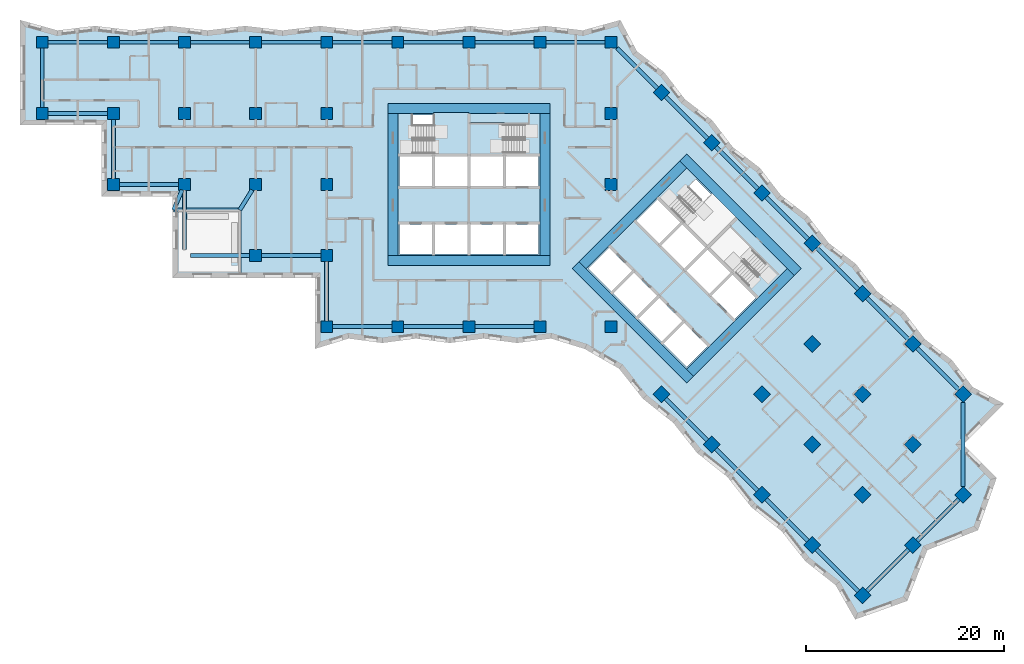
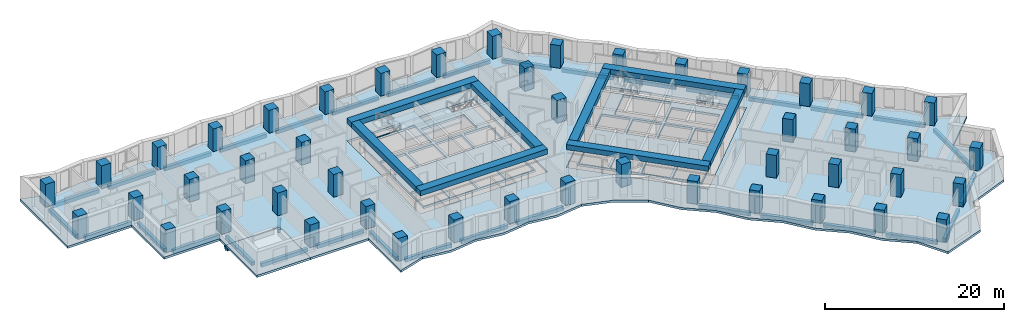
# One storey, part 1 of 14: 47 columns, 44 beams, 6 slabs, 22 openings, 2 elements without a shape of their own.
"""IFC4 building model written with IfcOpenShell, lengths in metres."""

from ifc_helpers import new_model, si_unit, direction, frame, origin, origin_2d, place, context, subcontext, project, spatial, polyline, rectangle, outline, extrude, material, layer, layer_set, material_profile, profile_set, type_object, element, aggregate, save


model = new_model("IFC4")

# Units and contexts
model_context = context("Model", 3, precision=1e-05, world=origin(), true_north=direction((0.0, 1.0)))
body_context = subcontext(model_context, "Body", "Model", "MODEL_VIEW")
ifc_project = project(units=[si_unit("LENGTHUNIT", "METRE"), si_unit("AREAUNIT", "SQUARE_METRE"), si_unit("VOLUMEUNIT", "CUBIC_METRE"), si_unit("PLANEANGLEUNIT", "RADIAN"), si_unit("MASSUNIT", "GRAM", prefix="KILO")], contexts=[model_context])

# Site, building, storey
site_placement = place(None, origin())
site = spatial("IfcSite", under=ifc_project, at=site_placement, CompositionType="ELEMENT")
building_placement = place(site_placement, origin())
building = spatial("IfcBuilding", under=site, at=building_placement, Name="Windrow Commons", CompositionType="ELEMENT")
storey_placement = place(building_placement, frame((0.0, 0.0, 44.0)))
storey = spatial("IfcBuildingStorey", under=building, at=storey_placement, Name="L11", CompositionType="ELEMENT", Elevation=44.0)

# Columns
ifc_material_1 = material(Name="Concrete C60/75", Category="concrete")
ifc_material_profile_1 = material_profile(ifc_material_1, rectangle(XDim=1.2, YDim=1.2, at=origin_2d()))
ifc_profile_set_1 = profile_set([ifc_material_profile_1], Name="Concrete C60/75")
column_type = type_object("IfcColumnType", Name="RC COLUMN 1200x1200 C60/75", PredefinedType="COLUMN", material=ifc_profile_set_1)
for number, where, z_axis, x_axis, name in (
    (1, (21.6, 64.8, 0.0), (0.0, 0.0, 1.0), (1.0, 0.0, 0.0), "C-Z1-04I"),
    (2, (21.6, 72.0, 0.0), (0.0, 0.0, 1.0), (1.0, 0.0, 0.0), "C-Z1-04J"),
    (3, (28.8, 57.6, 0.0), (0.0, 0.0, 1.0), (1.0, 0.0, 0.0), "C-Z1-05H"),
    (4, (28.8, 64.8, 0.0), (0.0, 0.0, 1.0), (1.0, 0.0, 0.0), "C-Z1-05I"),
    (5, (28.8, 72.0, 0.0), (0.0, 0.0, 1.0), (1.0, 0.0, 0.0), "C-Z1-05J"),
    (6, (36.0, 57.6, 0.0), (0.0, 0.0, 1.0), (1.0, 0.0, 0.0), "C-Z1-06H"),
    (7, (36.0, 64.8, 0.0), (0.0, 0.0, 1.0), (1.0, 0.0, 0.0), "C-Z1-06I"),
    (8, (36.0, 72.0, 0.0), (0.0, 0.0, 1.0), (1.0, 0.0, 0.0), "C-Z1-06J"),
    (9, (43.2, 50.4, 0.0), (0.0, 0.0, 1.0), (1.0, 0.0, 0.0), "C-Z1-07G"),
    (10, (43.2, 57.6, 0.0), (0.0, 0.0, 1.0), (1.0, 0.0, 0.0), "C-Z1-07H"),
    (11, (43.2, 64.8, 0.0), (0.0, 0.0, 1.0), (1.0, 0.0, 0.0), "C-Z1-07I"),
    (12, (43.2, 72.0, 0.0), (0.0, 0.0, 1.0), (1.0, 0.0, 0.0), "C-Z1-07J"),
    (13, (50.4, 43.2, 0.0), (0.0, 0.0, 1.0), (1.0, 0.0, 0.0), "C-Z1-08F"),
    (14, (50.4, 50.4, 0.0), (0.0, 0.0, 1.0), (1.0, 0.0, 0.0), "C-Z1-08G"),
    (15, (50.4, 57.6, 0.0), (0.0, 0.0, 1.0), (1.0, 0.0, 0.0), "C-Z1-08H"),
    (16, (50.4, 64.8, 0.0), (0.0, 0.0, 1.0), (1.0, 0.0, 0.0), "C-Z1-08I"),
    (17, (50.4, 72.0, 0.0), (0.0, 0.0, 1.0), (1.0, 0.0, 0.0), "C-Z1-08J"),
    (18, (57.6, 43.2, 0.0), (0.0, 0.0, 1.0), (1.0, 0.0, 0.0), "C-Z1-09F"),
    (19, (57.6, 72.0, 0.0), (0.0, 0.0, 1.0), (1.0, 0.0, 0.0), "C-Z1-09J"),
    (20, (64.8, 43.2, 0.0), (0.0, 0.0, 1.0), (1.0, 0.0, 0.0), "C-Z1-10F"),
    (21, (64.8, 72.0, 0.0), (0.0, 0.0, 1.0), (1.0, 0.0, 0.0), "C-Z1-10J"),
    (22, (72.0, 43.2, 0.0), (0.0, 0.0, 1.0), (1.0, 0.0, 0.0), "C-Z1-11F"),
    (23, (72.0, 72.0, 0.0), (0.0, 0.0, 1.0), (1.0, 0.0, 0.0), "C-Z1-11J"),
    (24, (79.2, 43.2, 0.0), (0.0, 0.0, 1.0), (1.0, 0.0, 0.0), "C-Z1-12F"),
    (25, (79.2, 57.6, 0.0), (0.0, 0.0, 1.0), (1.0, 0.0, 0.0), "C-Z1-12H"),
    (26, (79.2, 64.8, 0.0), (0.0, 0.0, 1.0), (1.0, 0.0, 0.0), "C-Z1-12I"),
    (27, (79.2, 72.0, 0.0), (0.0, 0.0, 1.0), (1.0, 0.0, 0.0), "C-Z1-12J"),
    (28, (84.2912, 66.9088, 0.0), (0.0, 0.0, 1.0), (0.7071067812, -0.7071067812, 0.0), "C-Z1-P2Q"),
    (29, (89.3823, 61.8177, 0.0), (0.0, 0.0, 1.0), (0.7071067812, -0.7071067812, 0.0), "C-Z1-P3Q"),
    (30, (94.4735, 56.7265, 0.0), (0.0, 0.0, 1.0), (0.7071067812, -0.7071067812, 0.0), "C-Z1-P4Q"),
    (31, (99.5647, 51.6353, 0.0), (0.0, 0.0, 1.0), (0.7071067812, -0.7071067812, 0.0), "C-Z1-P5Q"),
    (32, (84.2912, 36.3618, 0.0), (0.0, 0.0, 1.0), (0.7071067812, -0.7071067812, 0.0), "C-Z1-P5T"),
    (33, (104.6558, 46.5442, 0.0), (0.0, 0.0, 1.0), (0.7071067812, -0.7071067812, 0.0), "C-Z1-P6Q"),
    (34, (99.5647, 41.453, 0.0), (0.0, 0.0, 1.0), (0.7071067812, -0.7071067812, 0.0), "C-Z1-P6R"),
    (35, (94.4735, 36.3618, 0.0), (0.0, 0.0, 1.0), (0.7071067812, -0.7071067812, 0.0), "C-Z1-P6S"),
    (36, (89.3823, 31.2706, 0.0), (0.0, 0.0, 1.0), (0.7071067812, -0.7071067812, 0.0), "C-Z1-P6T"),
    (37, (109.747, 41.453, 0.0), (0.0, 0.0, 1.0), (0.7071067812, -0.7071067812, 0.0), "C-Z1-P7Q"),
    (38, (104.6558, 36.3618, 0.0), (0.0, 0.0, 1.0), (0.7071067812, -0.7071067812, 0.0), "C-Z1-P7R"),
    (39, (99.5647, 31.2706, 0.0), (0.0, 0.0, 1.0), (0.7071067812, -0.7071067812, 0.0), "C-Z1-P7S"),
    (40, (94.4735, 26.1795, 0.0), (0.0, 0.0, 1.0), (0.7071067812, -0.7071067812, 0.0), "C-Z1-P7T"),
    (41, (114.8382, 36.3618, 0.0), (0.0, 0.0, 1.0), (0.7071067812, -0.7071067812, 0.0), "C-Z1-P8Q"),
    (42, (109.747, 31.2706, 0.0), (0.0, 0.0, 1.0), (0.7071067812, -0.7071067812, 0.0), "C-Z1-P8R"),
    (43, (104.6558, 26.1795, 0.0), (0.0, 0.0, 1.0), (0.7071067812, -0.7071067812, 0.0), "C-Z1-P8S"),
    (44, (99.5647, 21.0883, 0.0), (0.0, 0.0, 1.0), (0.7071067812, -0.7071067812, 0.0), "C-Z1-P8T"),
    (45, (114.8382, 26.1795, 0.0), (0.0, 0.0, 1.0), (0.7071067812, -0.7071067812, 0.0), "C-Z1-P9R"),
    (46, (109.747, 21.0883, 0.0), (0.0, 0.0, 1.0), (0.7071067812, -0.7071067812, 0.0), "C-Z1-P9S"),
    (47, (104.6558, 15.9971, 0.0), (0.0, 0.0, 1.0), (0.7071067812, -0.7071067812, 0.0), "C-Z1-P9T"),
):
    element("IfcColumn", number, at=place(storey_placement, frame(where, z_axis=z_axis, x_axis=x_axis)), inside=storey, type_object=column_type, Name=name, PredefinedType="COLUMN", context=body_context, shape_type="SweptSolid", body=[
        extrude(rectangle(XDim=1.2, YDim=1.2, at=origin_2d()), origin(), (0.0, 0.0, 1.0), 3.1),
    ])

# Beams
ifc_material_2 = material(Name="Concrete C60/75", Category="concrete")
ifc_material_profile_2 = material_profile(ifc_material_2, rectangle(XDim=1.0, YDim=0.7, at=origin_2d()))
ifc_profile_set_2 = profile_set([ifc_material_profile_2], Name="Concrete C60/75")
beam_type_1 = type_object("IfcBeamType", Name="RC COUPLING BEAM 1000x700 C60/75", PredefinedType="LINTEL", material=ifc_profile_set_2)
for number, where, z_axis, x_axis, name in (
    (48, (56.6, 49.9, 2.75), (1.0, 0.0, 0.0), (0.0, 1.0, 0.0), "Core A coupling beam outer-S"),
    (49, (56.6, 65.3, 2.75), (1.0, 0.0, 0.0), (0.0, 1.0, 0.0), "Core A coupling beam outer-N"),
):
    element("IfcBeam", number, at=place(storey_placement, frame(where, z_axis=z_axis, x_axis=x_axis)), inside=storey, type_object=beam_type_1, Name=name, PredefinedType="LINTEL", context=body_context, shape_type="SweptSolid", body=[
        extrude(rectangle(XDim=1.0, YDim=0.7, at=origin_2d()), origin(), (0.0, 0.0, 1.0), 16.4),
    ])
for number, where, z_axis, x_axis, name in (
    (50, (57.1, 50.4, 2.75), (0.0, 1.0, 0.0), (-1.0, 0.0, 0.0), "Core A coupling beam outer-W"),
    (51, (72.5, 50.4, 2.75), (0.0, 1.0, 0.0), (-1.0, 0.0, 0.0), "Core A coupling beam outer-E"),
):
    element("IfcBeam", number, at=place(storey_placement, frame(where, z_axis=z_axis, x_axis=x_axis)), inside=storey, type_object=beam_type_1, Name=name, PredefinedType="LINTEL", context=body_context, shape_type="SweptSolid", body=[
        extrude(rectangle(XDim=1.0, YDim=0.7, at=origin_2d()), origin(), (0.0, 0.0, 1.0), 14.4),
    ])
for number, where, z_axis, x_axis, name in (
    (52, (75.5938, 49.4433, 2.75), (0.7071037324, -0.70710983, 0.0), (0.70710983, 0.7071037324, 0.0), "Core B coupling beam outer-S"),
    (53, (86.4832, 60.3327, 2.75), (0.70710983, -0.7071037324, 0.0), (0.7071037324, 0.70710983, 0.0), "Core B coupling beam outer-N"),
):
    element("IfcBeam", number, at=place(storey_placement, frame(where, z_axis=z_axis, x_axis=x_axis)), inside=storey, type_object=beam_type_1, Name=name, PredefinedType="LINTEL", context=body_context, shape_type="SweptSolid", body=[
        extrude(rectangle(XDim=1.0, YDim=0.7, at=origin_2d()), origin(), (0.0, 0.0, 1.0), 16.4),
    ])
beam_1_placement = place(storey_placement, frame((76.3009, 49.4433, 2.75), z_axis=(0.7071067812, 0.7071067812, 0.0), x_axis=(-0.7071067812, 0.7071067812, 0.0)))
element("IfcBeam", 54, at=beam_1_placement, inside=storey, type_object=beam_type_1, Name="Core B coupling beam outer-W", PredefinedType="LINTEL", context=body_context, shape_type="SweptSolid", body=[
    extrude(rectangle(XDim=1.0, YDim=0.7, at=origin_2d()), origin(), (0.0, 0.0, 1.0), 14.3999),
])
beam_2_placement = place(storey_placement, frame((87.1903, 38.5538, 2.75), z_axis=(0.707103309, 0.7071102534, 0.0), x_axis=(-0.7071102534, 0.707103309, 0.0)))
element("IfcBeam", 55, at=beam_2_placement, inside=storey, type_object=beam_type_1, Name="Core B coupling beam outer-E", PredefinedType="LINTEL", context=body_context, shape_type="SweptSolid", body=[
    extrude(rectangle(XDim=1.0, YDim=0.7, at=origin_2d()), origin(), (0.0, 0.0, 1.0), 14.4),
])
ifc_material_3 = material(Name="Concrete C60/75", Category="concrete")
ifc_material_profile_3 = material_profile(ifc_material_3, rectangle(XDim=0.4, YDim=0.5, at=origin_2d()))
ifc_profile_set_3 = profile_set([ifc_material_profile_3], Name="Concrete C60/75")
beam_type_2 = type_object("IfcBeamType", Name="RC EDGE BEAM 400x500 C60/75", PredefinedType="SPANDREL", material=ifc_profile_set_3)
beam_3_placement = place(storey_placement, frame((34.9, 55.018, -0.55), z_axis=(1.0, 0.0, 0.0), x_axis=(0.0, 1.0, 0.0)))
element("IfcBeam", 56, at=beam_3_placement, inside=storey, type_object=beam_type_2, Name="Terrace base beam TR-L11-1", PredefinedType="SPANDREL", context=body_context, shape_type="SweptSolid", body=[
    extrude(rectangle(XDim=0.4, YDim=0.5, at=origin_2d()), origin(), (0.0, 0.0, 1.0), 6.7),
])
beam_4_placement = place(storey_placement, frame((35.764, 57.046, -0.55), z_axis=(-0.3919473931, -0.9199876309, 0.0), x_axis=(0.9199876309, -0.3919473931, 0.0)))
element("IfcBeam", 57, at=beam_4_placement, inside=storey, type_object=beam_type_2, Name="Terrace base bracket beam TR-L11-1.1", PredefinedType="SPANDREL", context=body_context, shape_type="SweptSolid", body=[
    extrude(rectangle(XDim=0.4, YDim=0.5, at=origin_2d()), origin(), (0.0, 0.0, 1.0), 2.2044),
])
beam_5_placement = place(storey_placement, frame((42.8545, 57.0425, -0.55), z_axis=(-0.5267303837, -0.8500324128, 0.0), x_axis=(0.8500324128, -0.5267303837, 0.0)))
element("IfcBeam", 58, at=beam_5_placement, inside=storey, type_object=beam_type_2, Name="Terrace base bracket beam TR-L11-1.2", PredefinedType="SPANDREL", context=body_context, shape_type="SweptSolid", body=[
    extrude(rectangle(XDim=0.4, YDim=0.5, at=origin_2d()), origin(), (0.0, 0.0, 1.0), 2.3817),
])
for number, where, z_axis, x_axis, name in (
    (59, (42.6, 50.4, -0.55), (-1.0, 0.0, 0.0), (0.0, -1.0, 0.0), "Edge beam L11 001"),
    (60, (36.0, 51.0, -0.55), (0.0, 1.0, 0.0), (-1.0, 0.0, 0.0), "Edge beam L11 002"),
    (61, (35.4, 57.6, -0.55), (-1.0, 0.0, 0.0), (0.0, -1.0, 0.0), "Edge beam L11 003"),
    (62, (28.8, 58.2, -0.55), (0.0, 1.0, 0.0), (-1.0, 0.0, 0.0), "Edge beam L11 004"),
    (63, (28.2, 64.8, -0.55), (-1.0, 0.0, 0.0), (0.0, -1.0, 0.0), "Edge beam L11 005"),
    (64, (21.6, 65.4, -0.55), (0.0, 1.0, 0.0), (-1.0, 0.0, 0.0), "Edge beam L11 006"),
    (65, (22.2, 72.0, -0.55), (1.0, 0.0, 0.0), (0.0, 1.0, 0.0), "Edge beam L11 007"),
    (66, (29.4, 72.0, -0.55), (1.0, 0.0, 0.0), (0.0, 1.0, 0.0), "Edge beam L11 008"),
    (67, (36.6, 72.0, -0.55), (1.0, 0.0, 0.0), (0.0, 1.0, 0.0), "Edge beam L11 009"),
    (68, (43.8, 72.0, -0.55), (1.0, 0.0, 0.0), (0.0, 1.0, 0.0), "Edge beam L11 010"),
    (69, (51.0, 72.0, -0.55), (1.0, 0.0, 0.0), (0.0, 1.0, 0.0), "Edge beam L11 011"),
    (70, (58.2, 72.0, -0.55), (1.0, 0.0, 0.0), (0.0, 1.0, 0.0), "Edge beam L11 012"),
    (71, (65.4, 72.0, -0.55), (1.0, 0.0, 0.0), (0.0, 1.0, 0.0), "Edge beam L11 013"),
    (72, (72.6, 72.0, -0.55), (1.0, 0.0, 0.0), (0.0, 1.0, 0.0), "Edge beam L11 014"),
):
    element("IfcBeam", number, at=place(storey_placement, frame(where, z_axis=z_axis, x_axis=x_axis)), inside=storey, type_object=beam_type_2, Name=name, PredefinedType="SPANDREL", context=body_context, shape_type="SweptSolid", body=[
        extrude(rectangle(XDim=0.4, YDim=0.5, at=origin_2d()), origin(), (0.0, 0.0, 1.0), 6.0),
    ])
beam_6_placement = place(storey_placement, frame((79.8, 71.4, -0.55), z_axis=(0.7071067812, -0.7071067812, 0.0), x_axis=(0.7071067812, 0.7071067812, 0.0)))
element("IfcBeam", 73, at=beam_6_placement, inside=storey, type_object=beam_type_2, Name="Edge beam L11 015", PredefinedType="SPANDREL", context=body_context, shape_type="SweptSolid", body=[
    extrude(rectangle(XDim=0.4, YDim=0.5, at=origin_2d()), origin(), (0.0, 0.0, 1.0), 5.7515),
])
beam_7_placement = place(storey_placement, frame((84.7155, 66.4845, -0.55), z_axis=(0.7071067812, -0.7071067812, 0.0), x_axis=(0.7071067812, 0.7071067812, 0.0)))
element("IfcBeam", 74, at=beam_7_placement, inside=storey, type_object=beam_type_2, Name="Edge beam L11 016", PredefinedType="SPANDREL", context=body_context, shape_type="SweptSolid", body=[
    extrude(rectangle(XDim=0.4, YDim=0.5, at=origin_2d()), origin(), (0.0, 0.0, 1.0), 5.9998),
])
for number, where, z_axis, x_axis, name in (
    (75, (89.8066, 61.3934, -0.55), (0.7071067812, -0.7071067812, 0.0), (0.7071067812, 0.7071067812, 0.0), "Edge beam L11 017"),
    (76, (94.8978, 56.3022, -0.55), (0.7071067812, -0.7071067812, 0.0), (0.7071067812, 0.7071067812, 0.0), "Edge beam L11 018"),
):
    element("IfcBeam", number, at=place(storey_placement, frame(where, z_axis=z_axis, x_axis=x_axis)), inside=storey, type_object=beam_type_2, Name=name, PredefinedType="SPANDREL", context=body_context, shape_type="SweptSolid", body=[
        extrude(rectangle(XDim=0.4, YDim=0.5, at=origin_2d()), origin(), (0.0, 0.0, 1.0), 5.9999),
    ])
beam_8_placement = place(storey_placement, frame((99.989, 51.211, -0.55), z_axis=(0.7071067812, -0.7071067812, 0.0), x_axis=(0.7071067812, 0.7071067812, 0.0)))
element("IfcBeam", 77, at=beam_8_placement, inside=storey, type_object=beam_type_2, Name="Edge beam L11 019", PredefinedType="SPANDREL", context=body_context, shape_type="SweptSolid", body=[
    extrude(rectangle(XDim=0.4, YDim=0.5, at=origin_2d()), origin(), (0.0, 0.0, 1.0), 5.9998),
])
for number, where, z_axis, x_axis, name in (
    (78, (105.0801, 46.1199, -0.55), (0.7071067812, -0.7071067812, 0.0), (0.7071067812, 0.7071067812, 0.0), "Edge beam L11 020"),
    (79, (110.1713, 41.0287, -0.55), (0.7071067812, -0.7071067812, 0.0), (0.7071067812, 0.7071067812, 0.0), "Edge beam L11 021"),
):
    element("IfcBeam", number, at=place(storey_placement, frame(where, z_axis=z_axis, x_axis=x_axis)), inside=storey, type_object=beam_type_2, Name=name, PredefinedType="SPANDREL", context=body_context, shape_type="SweptSolid", body=[
        extrude(rectangle(XDim=0.4, YDim=0.5, at=origin_2d()), origin(), (0.0, 0.0, 1.0), 5.9999),
    ])
beam_9_placement = place(storey_placement, frame((114.8382, 35.5133, -0.55), z_axis=(0.0, -1.0, 0.0), x_axis=(1.0, 0.0, 0.0)))
element("IfcBeam", 80, at=beam_9_placement, inside=storey, type_object=beam_type_2, Name="Edge beam L11 022", PredefinedType="SPANDREL", context=body_context, shape_type="SweptSolid", body=[
    extrude(rectangle(XDim=0.4, YDim=0.5, at=origin_2d()), origin(), (0.0, 0.0, 1.0), 8.4853),
])
for number, where, z_axis, x_axis, name in (
    (81, (114.4139, 25.7552, -0.55), (-0.7071067812, -0.7071067812, 0.0), (0.7071067812, -0.7071067812, 0.0), "Edge beam L11 023"),
    (82, (109.3227, 20.664, -0.55), (-0.7071067812, -0.7071067812, 0.0), (0.7071067812, -0.7071067812, 0.0), "Edge beam L11 024"),
    (83, (104.2315, 16.4214, -0.55), (-0.7070984476, 0.7071151146, 0.0), (-0.7071151146, -0.7070984476, 0.0), "Edge beam L11 025"),
    (84, (99.1404, 21.5126, -0.55), (-0.7071067812, 0.7071067812, 0.0), (-0.7071067812, -0.7071067812, 0.0), "Edge beam L11 026"),
    (85, (94.0492, 26.6038, -0.55), (-0.7071151146, 0.7070984476, 0.0), (-0.7070984476, -0.7071151146, 0.0), "Edge beam L11 027"),
    (86, (88.958, 31.6949, -0.55), (-0.7070984476, 0.7071151146, 0.0), (-0.7071151146, -0.7070984476, 0.0), "Edge beam L11 028"),
):
    element("IfcBeam", number, at=place(storey_placement, frame(where, z_axis=z_axis, x_axis=x_axis)), inside=storey, type_object=beam_type_2, Name=name, PredefinedType="SPANDREL", context=body_context, shape_type="SweptSolid", body=[
        extrude(rectangle(XDim=0.4, YDim=0.5, at=origin_2d()), origin(), (0.0, 0.0, 1.0), 5.9999),
    ])
for number, where, z_axis, x_axis, name in (
    (87, (71.4, 43.2, -0.55), (-1.0, 0.0, 0.0), (0.0, -1.0, 0.0), "Edge beam L11 029"),
    (88, (64.2, 43.2, -0.55), (-1.0, 0.0, 0.0), (0.0, -1.0, 0.0), "Edge beam L11 030"),
    (89, (57.0, 43.2, -0.55), (-1.0, 0.0, 0.0), (0.0, -1.0, 0.0), "Edge beam L11 031"),
    (90, (50.4, 43.8, -0.55), (0.0, 1.0, 0.0), (-1.0, 0.0, 0.0), "Edge beam L11 032"),
    (91, (49.8, 50.4, -0.55), (-1.0, 0.0, 0.0), (0.0, -1.0, 0.0), "Edge beam L11 033"),
):
    element("IfcBeam", number, at=place(storey_placement, frame(where, z_axis=z_axis, x_axis=x_axis)), inside=storey, type_object=beam_type_2, Name=name, PredefinedType="SPANDREL", context=body_context, shape_type="SweptSolid", body=[
        extrude(rectangle(XDim=0.4, YDim=0.5, at=origin_2d()), origin(), (0.0, 0.0, 1.0), 6.0),
    ])

# Slab, openings
ifc_material_4 = material(Name="Concrete C60/75", Category="concrete")
ifc_layer_1 = layer(ifc_material_4, 0.3)
ifc_layer_set_1 = layer_set([ifc_layer_1], Name="CORE FLOOR SLAB 300 C60/75")
slab_type_1 = type_object("IfcSlabType", Name="CORE FLOOR SLAB 300 C60/75", PredefinedType="FLOOR", material=ifc_layer_set_1)
placement_1 = place(storey_placement, frame((0.0, 0.0, -0.3)))
slab_1 = element("IfcSlab", 92, at=placement_1, inside=storey, type_object=slab_type_1, Name="S-L11-core-A", PredefinedType="FLOOR", context=body_context, shape_type="SweptSolid", body=[
    extrude(outline(polyline([(57.6, 50.4), (72.0, 50.4), (72.0, 64.8), (57.6, 64.8), (57.6, 50.4)]), holes=[polyline([(57.75, 50.55), (61.05, 50.55), (61.05, 53.55), (57.75, 53.55), (57.75, 50.55)]), polyline([(61.35, 50.55), (64.65, 50.55), (64.65, 53.55), (61.35, 53.55), (61.35, 50.55)]), polyline([(64.95, 50.55), (68.25, 50.55), (68.25, 53.55), (64.95, 53.55), (64.95, 50.55)]), polyline([(68.55, 50.55), (71.85, 50.55), (71.85, 53.55), (68.55, 53.55), (68.55, 50.55)]), polyline([(57.75, 57.45), (61.05, 57.45), (61.05, 60.45), (57.75, 60.45), (57.75, 57.45)]), polyline([(61.35, 57.45), (64.65, 57.45), (64.65, 60.45), (61.35, 60.45), (61.35, 57.45)]), polyline([(64.95, 57.45), (68.25, 57.45), (68.25, 60.45), (64.95, 60.45), (64.95, 57.45)]), polyline([(68.55, 57.45), (71.85, 57.45), (71.85, 60.45), (68.55, 60.45), (68.55, 57.45)]), polyline([(59.1, 60.75), (64.65, 60.75), (64.65, 64.65), (59.1, 64.65), (59.1, 60.75)]), polyline([(64.95, 60.75), (70.5, 60.75), (70.5, 63.705), (64.95, 63.705), (64.95, 60.75)])]), origin(), (0.0, 0.0, 1.0), 0.3),
])
opening_1_placement = place(placement_1, origin())
element("IfcOpeningElement", 93, at=opening_1_placement, cuts=slab_1, Name="Slab opening S-L11-core-A 1", PredefinedType="OPENING", context=body_context, shape_type="SweptSolid", body=[
    extrude(outline(polyline([(57.755, 50.555), (57.755, 53.545), (61.045, 53.545), (61.045, 50.555), (57.755, 50.555)])), origin(), (0.0, 0.0, 1.0), 0.3),
])
opening_2_placement = place(placement_1, origin())
element("IfcOpeningElement", 94, at=opening_2_placement, cuts=slab_1, Name="Slab opening S-L11-core-A 2", PredefinedType="OPENING", context=body_context, shape_type="SweptSolid", body=[
    extrude(outline(polyline([(61.355, 50.555), (61.355, 53.545), (64.645, 53.545), (64.645, 50.555), (61.355, 50.555)])), origin(), (0.0, 0.0, 1.0), 0.3),
])
opening_3_placement = place(placement_1, origin())
element("IfcOpeningElement", 95, at=opening_3_placement, cuts=slab_1, Name="Slab opening S-L11-core-A 3", PredefinedType="OPENING", context=body_context, shape_type="SweptSolid", body=[
    extrude(outline(polyline([(64.955, 50.555), (64.955, 53.545), (68.245, 53.545), (68.245, 50.555), (64.955, 50.555)])), origin(), (0.0, 0.0, 1.0), 0.3),
])
opening_4_placement = place(placement_1, origin())
element("IfcOpeningElement", 96, at=opening_4_placement, cuts=slab_1, Name="Slab opening S-L11-core-A 4", PredefinedType="OPENING", context=body_context, shape_type="SweptSolid", body=[
    extrude(outline(polyline([(68.555, 50.555), (68.555, 53.545), (71.845, 53.545), (71.845, 50.555), (68.555, 50.555)])), origin(), (0.0, 0.0, 1.0), 0.3),
])
opening_5_placement = place(placement_1, origin())
element("IfcOpeningElement", 97, at=opening_5_placement, cuts=slab_1, Name="Slab opening S-L11-core-A 5", PredefinedType="OPENING", context=body_context, shape_type="SweptSolid", body=[
    extrude(outline(polyline([(57.755, 57.455), (57.755, 60.445), (61.045, 60.445), (61.045, 57.455), (57.755, 57.455)])), origin(), (0.0, 0.0, 1.0), 0.3),
])
opening_6_placement = place(placement_1, origin())
element("IfcOpeningElement", 98, at=opening_6_placement, cuts=slab_1, Name="Slab opening S-L11-core-A 6", PredefinedType="OPENING", context=body_context, shape_type="SweptSolid", body=[
    extrude(outline(polyline([(61.355, 57.455), (61.355, 60.445), (64.645, 60.445), (64.645, 57.455), (61.355, 57.455)])), origin(), (0.0, 0.0, 1.0), 0.3),
])
opening_7_placement = place(placement_1, origin())
element("IfcOpeningElement", 99, at=opening_7_placement, cuts=slab_1, Name="Slab opening S-L11-core-A 7", PredefinedType="OPENING", context=body_context, shape_type="SweptSolid", body=[
    extrude(outline(polyline([(64.955, 57.455), (64.955, 60.445), (68.245, 60.445), (68.245, 57.455), (64.955, 57.455)])), origin(), (0.0, 0.0, 1.0), 0.3),
])
opening_8_placement = place(placement_1, origin())
element("IfcOpeningElement", 100, at=opening_8_placement, cuts=slab_1, Name="Slab opening S-L11-core-A 8", PredefinedType="OPENING", context=body_context, shape_type="SweptSolid", body=[
    extrude(outline(polyline([(68.555, 57.455), (68.555, 60.445), (71.845, 60.445), (71.845, 57.455), (68.555, 57.455)])), origin(), (0.0, 0.0, 1.0), 0.3),
])
opening_9_placement = place(placement_1, origin())
element("IfcOpeningElement", 101, at=opening_9_placement, cuts=slab_1, Name="Slab opening S-L11-core-A 9", PredefinedType="OPENING", context=body_context, shape_type="SweptSolid", body=[
    extrude(outline(polyline([(59.105, 60.755), (59.105, 64.645), (64.645, 64.645), (64.645, 60.755), (59.105, 60.755)])), origin(), (0.0, 0.0, 1.0), 0.3),
])
opening_10_placement = place(placement_1, origin())
element("IfcOpeningElement", 102, at=opening_10_placement, cuts=slab_1, Name="Slab opening S-L11-core-A 10", PredefinedType="OPENING", context=body_context, shape_type="SweptSolid", body=[
    extrude(outline(polyline([(64.955, 60.755), (64.955, 63.7), (70.495, 63.7), (70.495, 60.755), (64.955, 60.755)])), origin(), (0.0, 0.0, 1.0), 0.3),
])

slab_2 = element("IfcSlab", 103, at=placement_1, inside=storey, type_object=slab_type_1, Name="S-L11-core-B", PredefinedType="FLOOR", context=body_context, shape_type="SweptSolid", body=[
    extrude(outline(polyline([(76.6544, 49.0897), (86.8368, 38.9074), (97.0191, 49.0897), (86.8368, 59.2721), (76.6544, 49.0897)]), holes=[polyline([(76.8665, 49.0897), (79.2, 46.7563), (81.3213, 48.8776), (78.9879, 51.2111), (76.8665, 49.0897)]), polyline([(79.4121, 46.5442), (81.7456, 44.2107), (83.8669, 46.332), (81.5335, 48.6655), (79.4121, 46.5442)]), polyline([(81.9577, 43.9986), (84.2912, 41.6651), (86.4125, 43.7864), (84.079, 46.1199), (81.9577, 43.9986)]), polyline([(84.5033, 41.453), (86.8368, 39.1195), (88.9581, 41.2409), (86.6246, 43.5743), (84.5033, 41.453)]), polyline([(81.7456, 53.9688), (84.079, 51.6353), (86.2004, 53.7566), (83.8669, 56.0901), (81.7456, 53.9688)]), polyline([(84.2912, 51.4232), (86.6246, 49.0897), (88.7459, 51.2111), (86.4125, 53.5445), (84.2912, 51.4232)]), polyline([(86.8368, 48.8776), (89.1702, 46.5442), (91.2915, 48.6655), (88.9581, 50.9989), (86.8368, 48.8776)]), polyline([(89.3823, 46.332), (91.7158, 43.9986), (93.8371, 46.1199), (91.5037, 48.4533), (89.3823, 46.332)]), polyline([(85.0336, 55.3476), (88.9581, 51.4232), (91.7158, 54.1809), (87.7913, 58.1054), (85.0336, 55.3476)]), polyline([(89.1702, 51.2111), (93.0946, 47.2866), (95.1841, 49.3761), (91.2597, 53.3006), (89.1702, 51.2111)])]), origin(), (0.0, 0.0, 1.0), 0.3),
])
opening_11_placement = place(placement_1, origin())
element("IfcOpeningElement", 104, at=opening_11_placement, cuts=slab_2, Name="Slab opening S-L11-core-B 1", PredefinedType="OPENING", context=body_context, shape_type="SweptSolid", body=[
    extrude(outline(polyline([(76.8736, 49.0897), (78.9879, 51.204), (81.3142, 48.8776), (79.2, 46.7634), (76.8736, 49.0897)])), origin(), (0.0, 0.0, 1.0), 0.3),
])
opening_12_placement = place(placement_1, origin())
element("IfcOpeningElement", 105, at=opening_12_placement, cuts=slab_2, Name="Slab opening S-L11-core-B 2", PredefinedType="OPENING", context=body_context, shape_type="SweptSolid", body=[
    extrude(outline(polyline([(79.4192, 46.5442), (81.5335, 48.6584), (83.8598, 46.332), (81.7456, 44.2178), (79.4192, 46.5442)])), origin(), (0.0, 0.0, 1.0), 0.3),
])
opening_13_placement = place(placement_1, origin())
element("IfcOpeningElement", 106, at=opening_13_placement, cuts=slab_2, Name="Slab opening S-L11-core-B 3", PredefinedType="OPENING", context=body_context, shape_type="SweptSolid", body=[
    extrude(outline(polyline([(81.9648, 43.9986), (84.079, 46.1128), (86.4054, 43.7864), (84.2912, 41.6722), (81.9648, 43.9986)])), origin(), (0.0, 0.0, 1.0), 0.3),
])
opening_14_placement = place(placement_1, origin())
element("IfcOpeningElement", 107, at=opening_14_placement, cuts=slab_2, Name="Slab opening S-L11-core-B 4", PredefinedType="OPENING", context=body_context, shape_type="SweptSolid", body=[
    extrude(outline(polyline([(84.5104, 41.453), (86.6246, 43.5672), (88.951, 41.2409), (86.8368, 39.1266), (84.5104, 41.453)])), origin(), (0.0, 0.0, 1.0), 0.3),
])
opening_15_placement = place(placement_1, origin())
element("IfcOpeningElement", 108, at=opening_15_placement, cuts=slab_2, Name="Slab opening S-L11-core-B 5", PredefinedType="OPENING", context=body_context, shape_type="SweptSolid", body=[
    extrude(outline(polyline([(81.7527, 53.9688), (83.8669, 56.083), (86.1933, 53.7566), (84.079, 51.6424), (81.7527, 53.9688)])), origin(), (0.0, 0.0, 1.0), 0.3),
])
opening_16_placement = place(placement_1, origin())
element("IfcOpeningElement", 109, at=opening_16_placement, cuts=slab_2, Name="Slab opening S-L11-core-B 6", PredefinedType="OPENING", context=body_context, shape_type="SweptSolid", body=[
    extrude(outline(polyline([(84.2983, 51.4232), (86.4125, 53.5374), (88.7388, 51.2111), (86.6246, 49.0968), (84.2983, 51.4232)])), origin(), (0.0, 0.0, 1.0), 0.3),
])
opening_17_placement = place(placement_1, origin())
element("IfcOpeningElement", 110, at=opening_17_placement, cuts=slab_2, Name="Slab opening S-L11-core-B 7", PredefinedType="OPENING", context=body_context, shape_type="SweptSolid", body=[
    extrude(outline(polyline([(86.8439, 48.8776), (88.9581, 50.9918), (91.2844, 48.6655), (89.1702, 46.5513), (86.8439, 48.8776)])), origin(), (0.0, 0.0, 1.0), 0.3),
])
opening_18_placement = place(placement_1, origin())
element("IfcOpeningElement", 111, at=opening_18_placement, cuts=slab_2, Name="Slab opening S-L11-core-B 8", PredefinedType="OPENING", context=body_context, shape_type="SweptSolid", body=[
    extrude(outline(polyline([(89.3894, 46.332), (91.5037, 48.4462), (93.83, 46.1199), (91.7158, 44.0057), (89.3894, 46.332)])), origin(), (0.0, 0.0, 1.0), 0.3),
])
opening_19_placement = place(placement_1, origin())
element("IfcOpeningElement", 112, at=opening_19_placement, cuts=slab_2, Name="Slab opening S-L11-core-B 9", PredefinedType="OPENING", context=body_context, shape_type="SweptSolid", body=[
    extrude(outline(polyline([(85.0407, 55.3476), (87.7913, 58.0983), (91.7087, 54.1809), (88.9581, 51.4303), (85.0407, 55.3476)])), origin(), (0.0, 0.0, 1.0), 0.3),
])
opening_20_placement = place(placement_1, origin())
element("IfcOpeningElement", 113, at=opening_20_placement, cuts=slab_2, Name="Slab opening S-L11-core-B 10", PredefinedType="OPENING", context=body_context, shape_type="SweptSolid", body=[
    extrude(outline(polyline([(89.1773, 51.2111), (91.2597, 53.2935), (95.177, 49.3761), (93.0946, 47.2937), (89.1773, 51.2111)])), origin(), (0.0, 0.0, 1.0), 0.3),
])

# Stair, slab
ifc_material_5 = material(Name="Concrete C40/50", Category="concrete")
stair_type = type_object("IfcStairType", Name="Core stair", PredefinedType="HALF_TURN_STAIR", material=ifc_material_5)
placement_2 = place(storey_placement, origin())
stair_1 = element("IfcStair", 114, at=placement_2, inside=storey, type_object=stair_type, Name="L11 Exit stair A1 core A", PredefinedType="HALF_TURN_STAIR")
ifc_material_6 = material(Name="Concrete C40/50", Category="concrete")
ifc_layer_2 = layer(ifc_material_6, 0.2)
ifc_layer_set_2 = layer_set([ifc_layer_2], Name="Core stair landing")
slab_type_2 = type_object("IfcSlabType", Name="Core stair landing", PredefinedType="LANDING", material=ifc_layer_set_2)
placement_3 = place(storey_placement, frame((0.0, 0.0, 1.5)))
slab_3 = element("IfcSlab", 115, at=placement_3, type_object=slab_type_2, Name="ST-A1 landing 1", PredefinedType="LANDING", context=body_context, shape_type="SweptSolid", body=[
    extrude(outline(polyline([(61.22, 60.5), (64.8, 60.5), (64.8, 64.9), (61.22, 64.9), (61.22, 60.5)])), origin(), (0.0, 0.0, 1.0), 0.2),
])
aggregate(stair_1, [slab_3])

stair_2 = element("IfcStair", 116, at=placement_2, inside=storey, type_object=stair_type, Name="L11 Exit stair A2 core A", PredefinedType="HALF_TURN_STAIR")
slab_4 = element("IfcSlab", 117, at=placement_3, type_object=slab_type_2, Name="ST-A2 landing 1", PredefinedType="LANDING", context=body_context, shape_type="SweptSolid", body=[
    extrude(outline(polyline([(64.8, 60.5), (68.38, 60.5), (68.38, 63.855), (64.8, 63.855), (64.8, 60.5)])), origin(), (0.0, 0.0, 1.0), 0.2),
])
aggregate(stair_2, [slab_4])

# Slab, openings
ifc_material_7 = material(Name="Concrete C60/75", Category="concrete")
ifc_layer_3 = layer(ifc_material_7, 0.3)
ifc_layer_set_3 = layer_set([ifc_layer_3], Name="FLOOR SLAB 300 C60/75")
slab_type_3 = type_object("IfcSlabType", Name="FLOOR SLAB 300 C60/75", PredefinedType="FLOOR", material=ifc_layer_set_3)
slab_5 = element("IfcSlab", 118, at=placement_1, inside=storey, type_object=slab_type_3, Name="S-L11-floor", PredefinedType="FLOOR", context=body_context, shape_type="SweptSolid", body=[
    extrude(outline(polyline([(98.8585, 19.4596), (101.9166, 17.0393), (103.9126, 13.5569), (109.1896, 15.4398), (111.2139, 20.5753), (116.3494, 22.5995), (118.2323, 27.8765), (114.8382, 31.2706), (118.9755, 35.408), (115.8046, 37.0925), (113.6958, 39.8391), (110.9492, 41.9479), (108.8404, 44.6945), (106.0938, 46.8033), (103.9851, 49.5498), (101.2385, 51.6586), (99.1297, 54.4052), (96.3831, 56.514), (94.2743, 59.2606), (91.5277, 61.3694), (89.4189, 64.116), (86.6723, 66.2248), (84.5636, 68.9714), (81.817, 71.0801), (80.1324, 74.251), (76.3335, 73.2), (72.5345, 73.651), (68.7355, 73.2), (64.9366, 73.651), (61.1376, 73.2), (57.3386, 73.651), (53.5397, 73.2), (49.7407, 73.651), (45.9418, 73.2), (42.1428, 73.651), (38.3438, 73.2), (34.5449, 73.651), (30.7459, 73.2), (26.9469, 73.651), (23.148, 73.2), (19.349, 74.251), (19.349, 63.6), (27.6, 63.6), (27.6, 56.4), (34.8, 56.4), (34.8, 55.018), (41.7, 55.018), (41.7, 48.149), (49.2, 48.149), (49.2, 40.949), (52.6151, 42.0), (56.0301, 41.549), (59.4452, 42.0), (62.8603, 41.549), (66.2754, 42.0), (69.6904, 41.549), (73.1055, 42.0), (76.5206, 40.949), (80.0029, 38.953), (82.4232, 35.8949), (85.4814, 33.4745), (87.9017, 30.4164), (90.9598, 27.9961), (93.3801, 24.938), (96.4382, 22.5177), (98.8585, 19.4596)]), holes=[polyline([(75.2402, 49.0897), (86.8368, 60.6863), (98.4333, 49.0897), (86.8368, 37.4932), (75.2402, 49.0897)]), polyline([(56.6, 49.4), (56.6, 65.8), (73.0, 65.8), (73.0, 49.4), (56.6, 49.4)])]), origin(), (0.0, 0.0, 1.0), 0.3),
])
opening_21_placement = place(placement_1, origin())
element("IfcOpeningElement", 119, at=opening_21_placement, cuts=slab_5, Name="Slab opening S-L11-floor 1", PredefinedType="OPENING", context=body_context, shape_type="SweptSolid", body=[
    extrude(outline(polyline([(75.2473, 49.0897), (86.8368, 60.6792), (98.4262, 49.0897), (86.8368, 37.5003), (75.2473, 49.0897)])), origin(), (0.0, 0.0, 1.0), 0.3),
])
opening_22_placement = place(placement_1, origin())
element("IfcOpeningElement", 120, at=opening_22_placement, cuts=slab_5, Name="Slab opening S-L11-floor 2", PredefinedType="OPENING", context=body_context, shape_type="SweptSolid", body=[
    extrude(outline(polyline([(56.605, 49.405), (56.605, 65.795), (72.995, 65.795), (72.995, 49.405), (56.605, 49.405)])), origin(), (0.0, 0.0, 1.0), 0.3),
])

# Slab
ifc_material_8 = material(Name="Concrete C60/75", Category="concrete")
ifc_layer_4 = layer(ifc_material_8, 0.3)
ifc_layer_set_4 = layer_set([ifc_layer_4], Name="TERRACE SLAB 300 C60/75")
slab_type_4 = type_object("IfcSlabType", Name="TERRACE SLAB 300 C60/75", PredefinedType="FLOOR", material=ifc_layer_set_4)
element("IfcSlab", 121, at=placement_1, inside=storey, type_object=slab_type_4, Name="Terrace slab TR-L11-1", PredefinedType="FLOOR", context=body_context, shape_type="SweptSolid", body=[
    extrude(outline(polyline([(34.8, 55.018), (34.8, 48.149), (41.7, 48.149), (41.7, 55.018), (34.8, 55.018)])), origin(), (0.0, 0.0, 1.0), 0.3),
])

save(model, "model.ifc")
